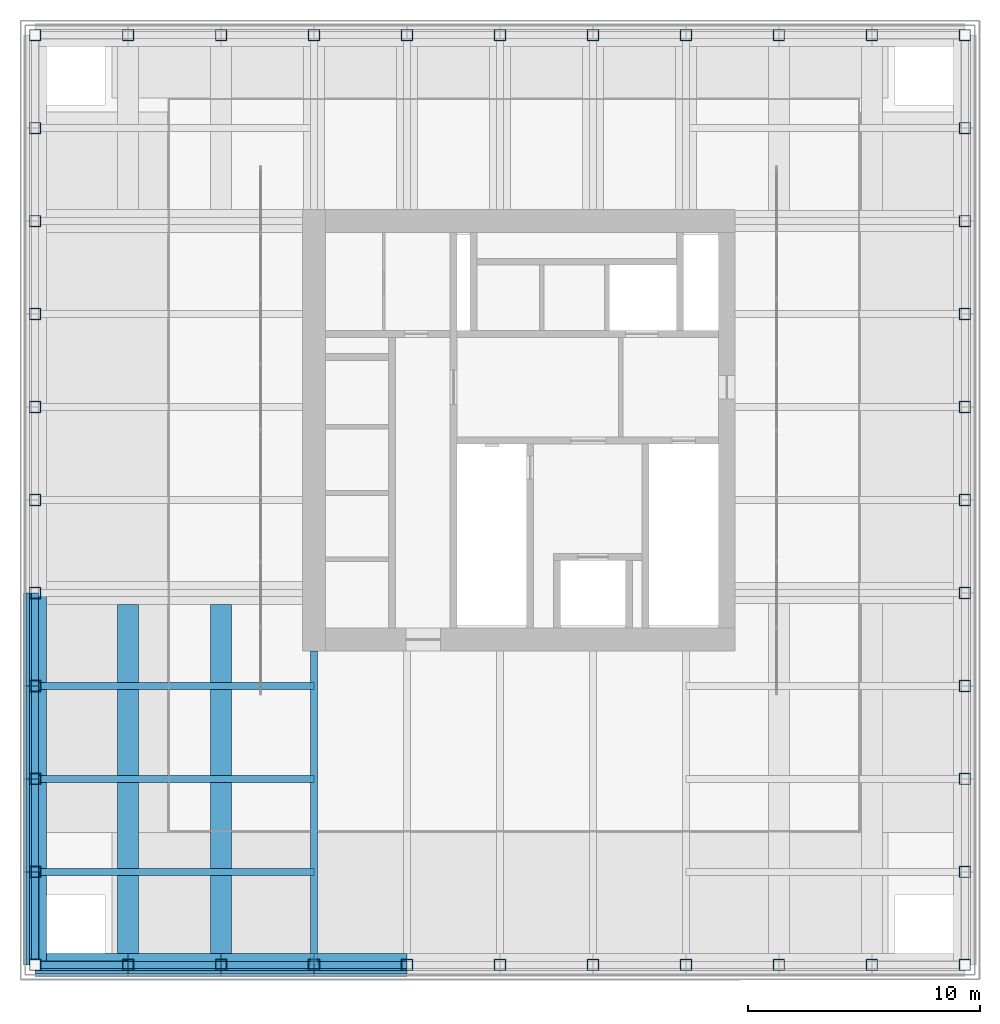
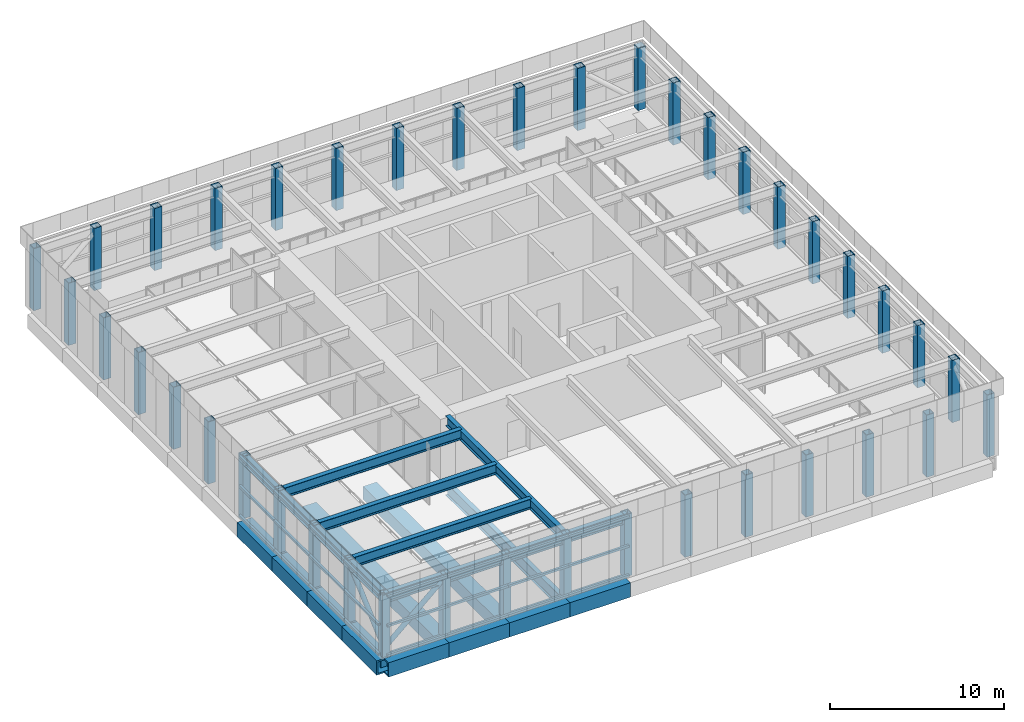
# One storey, part 1 of 11: 40 columns, 26 members, 23 beams.
"""IFC4 building model written with IfcOpenShell, lengths in metres."""

from ifc_helpers import new_model, si_unit, direction, frame, origin, origin_2d, place, context, subcontext, project, spatial, hollow_rectangle, hollow_circle, i_section, extrude, material, material_profile, profile_set, type_object, element, save


model = new_model("IFC4")

# Units and contexts
model_context = context("Model", 3, precision=1e-05, world=origin(), true_north=direction((0.0, 1.0)))
body_context = subcontext(model_context, "Body", "Model", "MODEL_VIEW")
ifc_project = project(units=[si_unit("LENGTHUNIT", "METRE"), si_unit("AREAUNIT", "SQUARE_METRE"), si_unit("VOLUMEUNIT", "CUBIC_METRE"), si_unit("PLANEANGLEUNIT", "RADIAN"), si_unit("MASSUNIT", "GRAM", prefix="KILO")], contexts=[model_context])

# Site, building, storey
site_placement = place(None, origin())
site = spatial("IfcSite", under=ifc_project, at=site_placement, CompositionType="ELEMENT")
building_placement = place(site_placement, origin())
building = spatial("IfcBuilding", under=site, at=building_placement, Name="Rimbunsela Tower", CompositionType="ELEMENT")
storey_placement = place(building_placement, frame((0.0, 0.0, 304.199951171875)))
storey = spatial("IfcBuildingStorey", under=building, at=storey_placement, Name="RF", CompositionType="ELEMENT", Elevation=304.199951171875)

# Columns
ifc_material_1 = material(Name="Steel BJ 55 (fy 410 MPa)", Category="steel")
ifc_material_profile_1 = material_profile(ifc_material_1, hollow_rectangle(XDim=0.5, YDim=0.5, WallThickness=0.031982421875, at=origin_2d()), Name="BOX 500x500x32")
ifc_profile_set_1 = profile_set([ifc_material_profile_1], Name="Steel BJ 55 (fy 410 MPa)")
column_type = type_object("IfcColumnType", Name="Crown frame post BOX 500x500x32", PredefinedType="COLUMN", material=ifc_profile_set_1)
for number, where, z_axis, x_axis, name in (
    (1, (6.0, 4.0, 0.0), (0.0, 0.0, 1.0), (1.0, 0.0, 0.0), "Crown frame post CF1"),
    (2, (6.0, 8.0, 0.0), (0.0, 0.0, 1.0), (1.0, 0.0, 0.0), "Crown frame post CF1"),
    (3, (6.0, 12.0, 0.0), (0.0, 0.0, 1.0), (1.0, 0.0, 0.0), "Crown frame post CF1"),
    (4, (6.0, 16.0, 0.0), (0.0, 0.0, 1.0), (1.0, 0.0, 0.0), "Crown frame post CF1"),
    (5, (6.0, 20.0, 0.0), (0.0, 0.0, 1.0), (1.0, 0.0, 0.0), "Crown frame post CF1"),
    (6, (6.0, 24.0, 0.0), (0.0, 0.0, 1.0), (1.0, 0.0, 0.0), "Crown frame post CF1"),
    (7, (6.0, 28.0, 0.0), (0.0, 0.0, 1.0), (1.0, 0.0, 0.0), "Crown frame post CF1"),
    (8, (6.0, 32.0, 0.0), (0.0, 0.0, 1.0), (1.0, 0.0, 0.0), "Crown frame post CF1"),
    (9, (6.0, 36.0, 0.0), (0.0, 0.0, 1.0), (1.0, 0.0, 0.0), "Crown frame post CF1"),
    (10, (6.0, 40.0, 0.0), (0.0, 0.0, 1.0), (1.0, 0.0, 0.0), "Crown frame post CF1"),
    (11, (6.0, 44.0, 0.0), (0.0, 0.0, 1.0), (1.0, 0.0, 0.0), "Crown frame post CF1"),
    (12, (10.0, 4.0, 0.0), (0.0, 0.0, 1.0), (1.0, 0.0, 0.0), "Crown frame post CF1"),
    (13, (10.0, 44.0, 0.0), (0.0, 0.0, 1.0), (1.0, 0.0, 0.0), "Crown frame post CF1"),
    (14, (14.0, 4.0, 0.0), (0.0, 0.0, 1.0), (1.0, 0.0, 0.0), "Crown frame post CF1"),
    (15, (14.0, 44.0, 0.0), (0.0, 0.0, 1.0), (1.0, 0.0, 0.0), "Crown frame post CF1"),
    (16, (18.0, 4.0, 0.0), (0.0, 0.0, 1.0), (1.0, 0.0, 0.0), "Crown frame post CF1"),
    (17, (18.0, 44.0, 0.0), (0.0, 0.0, 1.0), (1.0, 0.0, 0.0), "Crown frame post CF1"),
    (18, (22.0, 4.0, 0.0), (0.0, 0.0, 1.0), (1.0, 0.0, 0.0), "Crown frame post CF1"),
    (19, (22.0, 44.0, 0.0), (0.0, 0.0, 1.0), (1.0, 0.0, 0.0), "Crown frame post CF1"),
    (20, (26.0, 4.0, 0.0), (0.0, 0.0, 1.0), (1.0, 0.0, 0.0), "Crown frame post CF1"),
    (21, (26.0, 44.0, 0.0), (0.0, 0.0, 1.0), (1.0, 0.0, 0.0), "Crown frame post CF1"),
    (22, (30.0, 4.0, 0.0), (0.0, 0.0, 1.0), (1.0, 0.0, 0.0), "Crown frame post CF1"),
    (23, (30.0, 44.0, 0.0), (0.0, 0.0, 1.0), (1.0, 0.0, 0.0), "Crown frame post CF1"),
    (24, (34.0, 4.0, 0.0), (0.0, 0.0, 1.0), (1.0, 0.0, 0.0), "Crown frame post CF1"),
    (25, (34.0, 44.0, 0.0), (0.0, 0.0, 1.0), (1.0, 0.0, 0.0), "Crown frame post CF1"),
    (26, (38.0, 4.0, 0.0), (0.0, 0.0, 1.0), (1.0, 0.0, 0.0), "Crown frame post CF1"),
    (27, (38.0, 44.0, 0.0), (0.0, 0.0, 1.0), (1.0, 0.0, 0.0), "Crown frame post CF1"),
    (28, (42.0, 4.0, 0.0), (0.0, 0.0, 1.0), (1.0, 0.0, 0.0), "Crown frame post CF1"),
    (29, (42.0, 44.0, 0.0), (0.0, 0.0, 1.0), (1.0, 0.0, 0.0), "Crown frame post CF1"),
    (30, (46.0, 4.0, 0.0), (0.0, 0.0, 1.0), (1.0, 0.0, 0.0), "Crown frame post CF1"),
    (31, (46.0, 8.0, 0.0), (0.0, 0.0, 1.0), (1.0, 0.0, 0.0), "Crown frame post CF1"),
    (32, (46.0, 12.0, 0.0), (0.0, 0.0, 1.0), (1.0, 0.0, 0.0), "Crown frame post CF1"),
    (33, (46.0, 16.0, 0.0), (0.0, 0.0, 1.0), (1.0, 0.0, 0.0), "Crown frame post CF1"),
    (34, (46.0, 20.0, 0.0), (0.0, 0.0, 1.0), (1.0, 0.0, 0.0), "Crown frame post CF1"),
    (35, (46.0, 24.0, 0.0), (0.0, 0.0, 1.0), (1.0, 0.0, 0.0), "Crown frame post CF1"),
    (36, (46.0, 28.0, 0.0), (0.0, 0.0, 1.0), (1.0, 0.0, 0.0), "Crown frame post CF1"),
    (37, (46.0, 32.0, 0.0), (0.0, 0.0, 1.0), (1.0, 0.0, 0.0), "Crown frame post CF1"),
    (38, (46.0, 36.0, 0.0), (0.0, 0.0, 1.0), (1.0, 0.0, 0.0), "Crown frame post CF1"),
    (39, (46.0, 40.0, 0.0), (0.0, 0.0, 1.0), (1.0, 0.0, 0.0), "Crown frame post CF1"),
    (40, (46.0, 44.0, 0.0), (0.0, 0.0, 1.0), (1.0, 0.0, 0.0), "Crown frame post CF1"),
):
    element("IfcColumn", number, at=place(storey_placement, frame(where, z_axis=z_axis, x_axis=x_axis)), inside=storey, type_object=column_type, Name=name, PredefinedType="COLUMN", context=body_context, shape_type="SweptSolid", body=[
        extrude(hollow_rectangle(XDim=0.5, YDim=0.5, WallThickness=0.031982421875, at=origin_2d()), origin(), (0.0, 0.0, 1.0), 4.35009765625),
    ])

# Beams
ifc_material_2 = material(Name="Steel BJ 55 (fy 410 MPa)", Category="steel")
ifc_material_profile_2 = material_profile(ifc_material_2, hollow_rectangle(XDim=1.0, YDim=1.0, WallThickness=0.10009765625, at=origin_2d()), Name="BOX 1000x1000x100")
ifc_profile_set_2 = profile_set([ifc_material_profile_2], Name="Steel BJ 55 (fy 410 MPa)")
beam_type_1 = type_object("IfcBeamType", Name="Beam BOX 1000x1000x100", PredefinedType="BEAM", material=ifc_profile_set_2)
for number, where, z_axis, x_axis, name in (
    (41, (6.0, 4.0, -0.800048828125), (0.0, 1.0, 0.0), (-1.0, 0.0, 0.0), "Beam B3 RF"),
    (42, (6.0, 4.0, -0.800048828125), (1.0, 0.0, 0.0), (0.0, 1.0, 0.0), "Beam B3 RF"),
    (43, (6.0, 8.0, -0.800048828125), (0.0, 1.0, 0.0), (-1.0, 0.0, 0.0), "Beam B3 RF"),
    (44, (6.0, 12.0, -0.800048828125), (0.0, 1.0, 0.0), (-1.0, 0.0, 0.0), "Beam B3 RF"),
    (45, (6.0, 16.0, -0.800048828125), (0.0, 1.0, 0.0), (-1.0, 0.0, 0.0), "Beam B3 RF"),
    (46, (10.0, 4.0, -0.800048828125), (1.0, 0.0, 0.0), (0.0, 1.0, 0.0), "Beam B3 RF"),
    (47, (14.0, 4.0, -0.800048828125), (1.0, 0.0, 0.0), (0.0, 1.0, 0.0), "Beam B3 RF"),
    (48, (18.0, 4.0, -0.800048828125), (1.0, 0.0, 0.0), (0.0, 1.0, 0.0), "Beam B3 RF"),
):
    element("IfcBeam", number, at=place(storey_placement, frame(where, z_axis=z_axis, x_axis=x_axis)), inside=storey, type_object=beam_type_1, Name=name, PredefinedType="BEAM", context=body_context, shape_type="SweptSolid", body=[
        extrude(hollow_rectangle(XDim=1.0, YDim=1.0, WallThickness=0.10009765625, at=origin_2d()), origin(), (0.0, 0.0, 1.0), 4.0),
    ])
ifc_material_3 = material(Name="Steel BJ 55 (fy 410 MPa)", Category="steel")
ifc_material_profile_3 = material_profile(ifc_material_3, hollow_rectangle(XDim=0.89990234375, YDim=0.89990234375, WallThickness=0.06005859375, at=origin_2d()), Name="BOX 900x900x60")
ifc_profile_set_3 = profile_set([ifc_material_profile_3], Name="Steel BJ 55 (fy 410 MPa)")
beam_type_2 = type_object("IfcBeamType", Name="Beam BOX 900x900x60", PredefinedType="BEAM", material=ifc_profile_set_3)
for number, where, z_axis, x_axis, name in (
    (49, (10.0, 4.0, -0.75), (0.0, 1.0, 0.0), (-1.0, 0.0, 0.0), "Beam B1 RF"),
    (50, (14.0, 4.0, -0.75), (0.0, 1.0, 0.0), (-1.0, 0.0, 0.0), "Beam B1 RF"),
):
    element("IfcBeam", number, at=place(storey_placement, frame(where, z_axis=z_axis, x_axis=x_axis)), inside=storey, type_object=beam_type_2, Name=name, PredefinedType="BEAM", context=body_context, shape_type="SweptSolid", body=[
        extrude(hollow_rectangle(XDim=0.89990234375, YDim=0.89990234375, WallThickness=0.06005859375, at=origin_2d()), origin(), (0.0, 0.0, 1.0), 15.5),
    ])
ifc_material_4 = material(Name="Steel BJ 55 (fy 410 MPa)", Category="steel")
ifc_material_profile_4 = material_profile(ifc_material_4, i_section(OverallWidth=0.300048828125, OverallDepth=0.89990234375, WebThickness=0.01611328125, FlangeThickness=0.028076171875, FilletRadius=0.028076171875, at=origin_2d()), Name="H 900x300x16x28")
ifc_profile_set_4 = profile_set([ifc_material_profile_4], Name="Steel BJ 55 (fy 410 MPa)")
beam_type_3 = type_object("IfcBeamType", Name="Beam H 900x300x16x28", PredefinedType="BEAM", material=ifc_profile_set_4)
beam_1_placement = place(storey_placement, frame((18.0, 4.0, -0.75), z_axis=(0.0, 1.0, 0.0), x_axis=(-1.0, 0.0, 0.0)))
element("IfcBeam", 51, at=beam_1_placement, inside=storey, type_object=beam_type_3, Name="Beam B2 RF", PredefinedType="BEAM", context=body_context, shape_type="SweptSolid", body=[
    extrude(i_section(OverallWidth=0.300048828125, OverallDepth=0.89990234375, WebThickness=0.01611328125, FlangeThickness=0.028076171875, FilletRadius=0.028076171875, at=origin_2d()), origin(), (0.0, 0.0, 1.0), 13.5),
])
ifc_material_5 = material(Name="Steel BJ 55 (fy 410 MPa)", Category="steel")
ifc_material_profile_5 = material_profile(ifc_material_5, i_section(OverallWidth=0.300048828125, OverallDepth=0.699951171875, WebThickness=0.012939453125, FlangeThickness=0.02392578125, FilletRadius=0.028076171875, at=origin_2d()), Name="H 700x300x13x24")
ifc_profile_set_5 = profile_set([ifc_material_profile_5], Name="Steel BJ 55 (fy 410 MPa)")
beam_type_4 = type_object("IfcBeamType", Name="Crown frame beam H 700x300x13x24", PredefinedType="BEAM", material=ifc_profile_set_5)
for number, where, z_axis, x_axis, name in (
    (52, (6.0, 4.0, 4.0), (1.0, 0.0, 0.0), (0.0, 1.0, 0.0), "Crown frame edge beam CB1"),
    (53, (6.0, 4.0, 4.0), (0.0, 1.0, 0.0), (-1.0, 0.0, 0.0), "Crown frame edge beam CB1"),
    (54, (6.0, 8.0, 4.0), (0.0, 1.0, 0.0), (-1.0, 0.0, 0.0), "Crown frame edge beam CB1"),
    (55, (6.0, 12.0, 4.0), (0.0, 1.0, 0.0), (-1.0, 0.0, 0.0), "Crown frame edge beam CB1"),
    (56, (6.0, 16.0, 4.0), (0.0, 1.0, 0.0), (-1.0, 0.0, 0.0), "Crown frame edge beam CB1"),
    (57, (10.0, 4.0, 4.0), (1.0, 0.0, 0.0), (0.0, 1.0, 0.0), "Crown frame edge beam CB1"),
    (58, (14.0, 4.0, 4.0), (1.0, 0.0, 0.0), (0.0, 1.0, 0.0), "Crown frame edge beam CB1"),
    (59, (18.0, 4.0, 4.0), (1.0, 0.0, 0.0), (0.0, 1.0, 0.0), "Crown frame edge beam CB1"),
):
    element("IfcBeam", number, at=place(storey_placement, frame(where, z_axis=z_axis, x_axis=x_axis)), inside=storey, type_object=beam_type_4, Name=name, PredefinedType="BEAM", context=body_context, shape_type="SweptSolid", body=[
        extrude(i_section(OverallWidth=0.300048828125, OverallDepth=0.699951171875, WebThickness=0.012939453125, FlangeThickness=0.02392578125, FilletRadius=0.028076171875, at=origin_2d()), origin(), (0.0, 0.0, 1.0), 4.0),
    ])
beam_2_placement = place(storey_placement, frame((18.0, 4.0, 4.0), z_axis=(0.0, 1.0, 0.0), x_axis=(-1.0, 0.0, 0.0)))
element("IfcBeam", 60, at=beam_2_placement, inside=storey, type_object=beam_type_4, Name="Crown frame beam CB1", PredefinedType="BEAM", context=body_context, shape_type="SweptSolid", body=[
    extrude(i_section(OverallWidth=0.300048828125, OverallDepth=0.699951171875, WebThickness=0.012939453125, FlangeThickness=0.02392578125, FilletRadius=0.028076171875, at=origin_2d()), origin(), (0.0, 0.0, 1.0), 13.5),
])

# Members
ifc_material_6 = material(Name="Steel BJ 55 (fy 410 MPa)", Category="steel")
ifc_material_profile_6 = material_profile(ifc_material_6, hollow_circle(Radius=0.1591796875, WallThickness=0.01025390625, at=origin_2d()), Name="CHS 318.5x10.3")
ifc_profile_set_6 = profile_set([ifc_material_profile_6], Name="Steel BJ 55 (fy 410 MPa)")
member_type_1 = type_object("IfcMemberType", Name="Crown frame brace CHS 318.5x10.3", PredefinedType="BRACE", material=ifc_profile_set_6)
for number, where, z_axis, x_axis, name in (
    (61, (6.0, 4.0, 0.449951171875), (0.747920371053, 0.0, 0.663788459197), (0.0, 1.0, 0.0), "Crown frame brace CX1"),
    (62, (6.0, 4.0, 0.449951171875), (0.0, 0.747920371053, 0.663788459197), (-1.0, 0.0, 0.0), "Crown frame brace CX1"),
):
    element("IfcMember", number, at=place(storey_placement, frame(where, z_axis=z_axis, x_axis=x_axis)), inside=storey, type_object=member_type_1, Name=name, PredefinedType="BRACE", context=body_context, shape_type="SweptSolid", body=[
        extrude(hollow_circle(Radius=0.1591796875, WallThickness=0.01025390625, at=origin_2d()), origin(), (0.0, 0.0, 1.0), 5.34814453125),
    ])

# Beams
ifc_material_7 = material(Name="Steel BJ 55 (fy 410 MPa)", Category="steel")
ifc_material_profile_7 = material_profile(ifc_material_7, i_section(OverallWidth=0.300048828125, OverallDepth=0.699951171875, WebThickness=0.012939453125, FlangeThickness=0.02392578125, FilletRadius=0.028076171875, at=origin_2d()), Name="H 700x300x13x24")
ifc_profile_set_7 = profile_set([ifc_material_profile_7], Name="Steel BJ 55 (fy 410 MPa)")
beam_type_5 = type_object("IfcBeamType", Name="Crown frame purlin H 700x300x13x24", PredefinedType="BEAM", material=ifc_profile_set_7)
for number, where, z_axis, x_axis, name in (
    (63, (6.0, 8.0, 4.0), (1.0, 0.0, 0.0), (0.0, 1.0, 0.0), "Crown frame purlin PU1"),
    (64, (6.0, 12.0, 4.0), (1.0, 0.0, 0.0), (0.0, 1.0, 0.0), "Crown frame purlin PU1"),
    (65, (6.0, 16.0, 4.0), (1.0, 0.0, 0.0), (0.0, 1.0, 0.0), "Crown frame purlin PU1"),
):
    element("IfcBeam", number, at=place(storey_placement, frame(where, z_axis=z_axis, x_axis=x_axis)), inside=storey, type_object=beam_type_5, Name=name, PredefinedType="BEAM", context=body_context, shape_type="SweptSolid", body=[
        extrude(i_section(OverallWidth=0.300048828125, OverallDepth=0.699951171875, WebThickness=0.012939453125, FlangeThickness=0.02392578125, FilletRadius=0.028076171875, at=origin_2d()), origin(), (0.0, 0.0, 1.0), 12.0),
    ])

# Members
ifc_material_8 = material(Name="Steel BJ 55 (fy 410 MPa)", Category="steel")
ifc_material_profile_8 = material_profile(ifc_material_8, hollow_rectangle(XDim=0.14990234375, YDim=0.14990234375, WallThickness=0.006103515625, at=origin_2d()), Name="SHS 150x150x6.0")
ifc_profile_set_8 = profile_set([ifc_material_profile_8], Name="Steel BJ 55 (fy 410 MPa)")
member_type_2 = type_object("IfcMemberType", Name="Crown screen rail SHS 150x150x6.0", PredefinedType="MEMBER", material=ifc_profile_set_8)
for number, where, z_axis, x_axis, name in (
    (66, (6.0, 3.675048828125, 0.125), (1.0, 0.0, 0.0), (0.0, 1.0, 0.0), "Crown screen rail SR1"),
    (67, (6.0, 3.675048828125, 2.199951171875), (1.0, 0.0, 0.0), (0.0, 1.0, 0.0), "Crown screen rail SR1"),
    (68, (6.0, 3.675048828125, 4.275146484375), (1.0, 0.0, 0.0), (0.0, 1.0, 0.0), "Crown screen rail SR1"),
    (69, (10.0, 3.675048828125, 0.125), (1.0, 0.0, 0.0), (0.0, 1.0, 0.0), "Crown screen rail SR1"),
    (70, (10.0, 3.675048828125, 2.199951171875), (1.0, 0.0, 0.0), (0.0, 1.0, 0.0), "Crown screen rail SR1"),
    (71, (10.0, 3.675048828125, 4.275146484375), (1.0, 0.0, 0.0), (0.0, 1.0, 0.0), "Crown screen rail SR1"),
    (72, (14.0, 3.675048828125, 0.125), (1.0, 0.0, 0.0), (0.0, 1.0, 0.0), "Crown screen rail SR1"),
    (73, (14.0, 3.675048828125, 2.199951171875), (1.0, 0.0, 0.0), (0.0, 1.0, 0.0), "Crown screen rail SR1"),
    (74, (14.0, 3.675048828125, 4.275146484375), (1.0, 0.0, 0.0), (0.0, 1.0, 0.0), "Crown screen rail SR1"),
    (75, (18.0, 3.675048828125, 0.125), (1.0, 0.0, 0.0), (0.0, 1.0, 0.0), "Crown screen rail SR1"),
    (76, (18.0, 3.675048828125, 2.199951171875), (1.0, 0.0, 0.0), (0.0, 1.0, 0.0), "Crown screen rail SR1"),
    (77, (18.0, 3.675048828125, 4.275146484375), (1.0, 0.0, 0.0), (0.0, 1.0, 0.0), "Crown screen rail SR1"),
    (78, (5.675048828125, 4.0, 0.125), (0.0, 1.0, 0.0), (-1.0, 0.0, 0.0), "Crown screen rail SR1"),
    (79, (5.675048828125, 4.0, 2.199951171875), (0.0, 1.0, 0.0), (-1.0, 0.0, 0.0), "Crown screen rail SR1"),
    (80, (5.675048828125, 4.0, 4.275146484375), (0.0, 1.0, 0.0), (-1.0, 0.0, 0.0), "Crown screen rail SR1"),
    (81, (5.675048828125, 8.0, 0.125), (0.0, 1.0, 0.0), (-1.0, 0.0, 0.0), "Crown screen rail SR1"),
    (82, (5.675048828125, 8.0, 2.199951171875), (0.0, 1.0, 0.0), (-1.0, 0.0, 0.0), "Crown screen rail SR1"),
    (83, (5.675048828125, 8.0, 4.275146484375), (0.0, 1.0, 0.0), (-1.0, 0.0, 0.0), "Crown screen rail SR1"),
    (84, (5.675048828125, 12.0, 0.125), (0.0, 1.0, 0.0), (-1.0, 0.0, 0.0), "Crown screen rail SR1"),
    (85, (5.675048828125, 12.0, 2.199951171875), (0.0, 1.0, 0.0), (-1.0, 0.0, 0.0), "Crown screen rail SR1"),
    (86, (5.675048828125, 12.0, 4.275146484375), (0.0, 1.0, 0.0), (-1.0, 0.0, 0.0), "Crown screen rail SR1"),
    (87, (5.675048828125, 16.0, 0.125), (0.0, 1.0, 0.0), (-1.0, 0.0, 0.0), "Crown screen rail SR1"),
    (88, (5.675048828125, 16.0, 2.199951171875), (0.0, 1.0, 0.0), (-1.0, 0.0, 0.0), "Crown screen rail SR1"),
    (89, (5.675048828125, 16.0, 4.275146484375), (0.0, 1.0, 0.0), (-1.0, 0.0, 0.0), "Crown screen rail SR1"),
):
    element("IfcMember", number, at=place(storey_placement, frame(where, z_axis=z_axis, x_axis=x_axis)), inside=storey, type_object=member_type_2, Name=name, PredefinedType="MEMBER", context=body_context, shape_type="SweptSolid", body=[
        extrude(hollow_rectangle(XDim=0.14990234375, YDim=0.14990234375, WallThickness=0.006103515625, at=origin_2d()), origin(), (0.0, 0.0, 1.0), 4.0),
    ])

save(model, "model.ifc")
